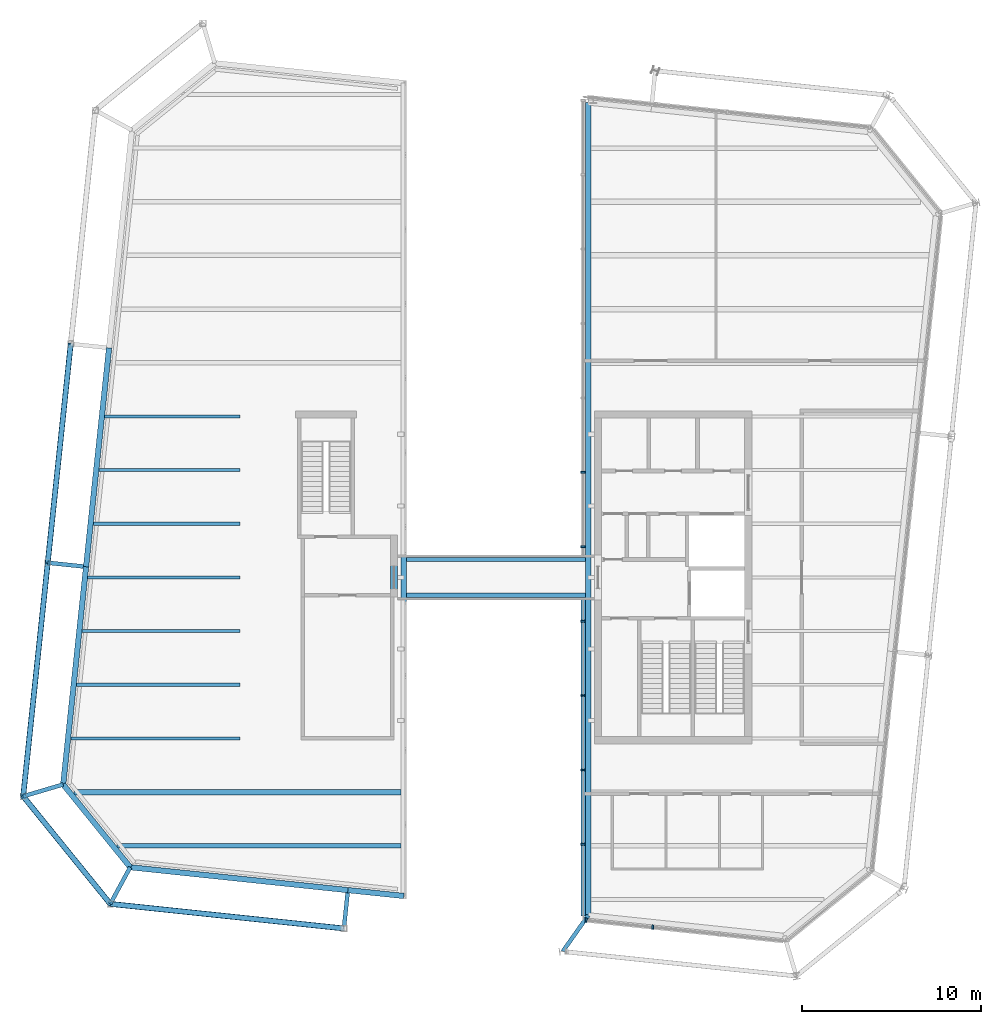
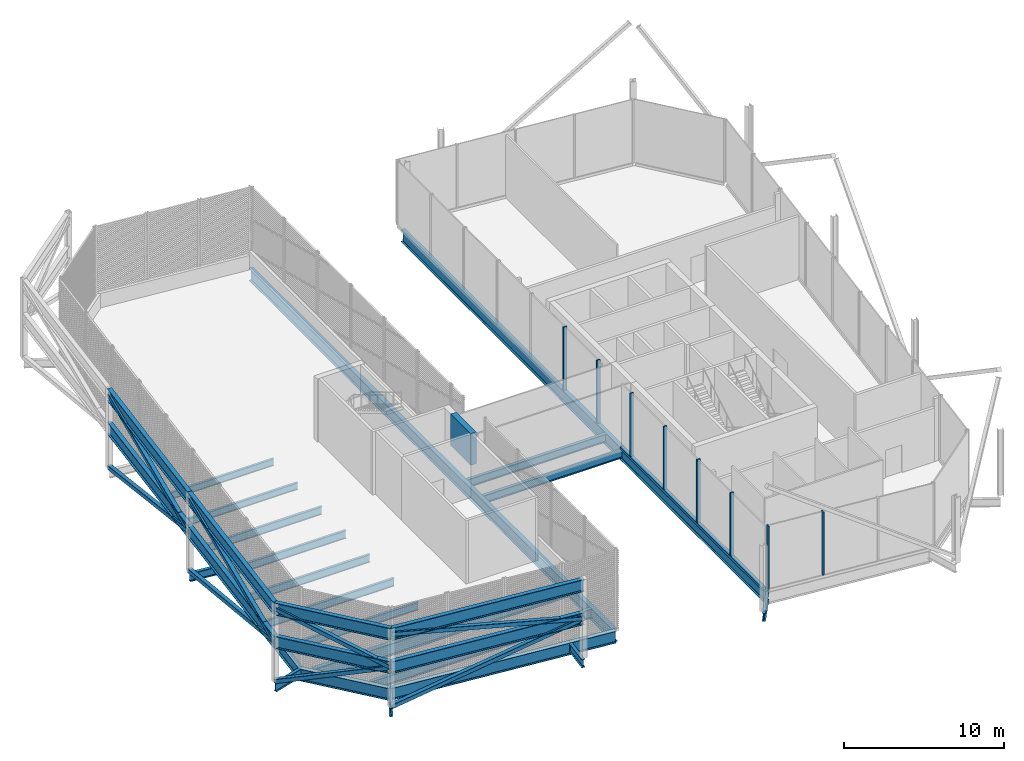
# One storey, part 5 of 15: 32 beams, 17 members, 2 elements without a shape of their own.
"""IFC4 building model written with IfcOpenShell, lengths in metres."""

from ifc_helpers import new_model, si_unit, direction, frame, origin, origin_2d, place, context, subcontext, project, spatial, rectangle, hollow_rectangle, i_section, extrude, material, layer, layer_set, material_profile, profile_set, type_object, element, aggregate, save


model = new_model("IFC4")

# Units and contexts
model_context = context("Model", 3, precision=1e-05, world=origin(), true_north=direction((0.0, 1.0)))
body_context = subcontext(model_context, "Body", "Model", "MODEL_VIEW")
ifc_project = project(units=[si_unit("LENGTHUNIT", "METRE"), si_unit("AREAUNIT", "SQUARE_METRE"), si_unit("VOLUMEUNIT", "CUBIC_METRE"), si_unit("PLANEANGLEUNIT", "RADIAN"), si_unit("MASSUNIT", "GRAM", prefix="KILO")], contexts=[model_context])

# Site, building, storey
site_placement = place(None, origin())
site = spatial("IfcSite", under=ifc_project, at=site_placement, CompositionType="ELEMENT")
building_placement = place(site_placement, origin())
building = spatial("IfcBuilding", under=site, at=building_placement, Name="Millrace Tower", CompositionType="ELEMENT")
storey_placement = place(building_placement, frame((0.0, 0.0, 352.10009765625)))
storey = spatial("IfcBuildingStorey", under=building, at=storey_placement, Name="L81", CompositionType="ELEMENT", Elevation=352.10009765625)

# Beams
ifc_material_1 = material(Name="Steel ASTM A992 Grade 50", Category="steel")
ifc_material_profile_1 = material_profile(ifc_material_1, i_section(OverallWidth=0.23046875, OverallDepth=0.6171875, WebThickness=0.01318359375, FlangeThickness=0.022216796875, FilletRadius=0.012939453125, at=origin_2d()))
ifc_profile_set_1 = profile_set([ifc_material_profile_1], Name="Steel ASTM A992 Grade 50")
beam_type_1 = type_object("IfcBeamType", Name="Bridge beam W24x94", PredefinedType="BEAM", material=ifc_profile_set_1)
for number, where, z_axis, x_axis, name in (
    (1, (-5.0, -1.0, -0.5087890625), (1.0, 0.0, 0.0), (0.0, 1.0, 0.0), "BR-LK-L81-S"),
    (2, (-5.0, 1.0, -0.5087890625), (1.0, 0.0, 0.0), (0.0, 1.0, 0.0), "BR-LK-L81-N"),
):
    element("IfcBeam", number, at=place(storey_placement, frame(where, z_axis=z_axis, x_axis=x_axis)), inside=storey, type_object=beam_type_1, Name=name, PredefinedType="BEAM", context=body_context, shape_type="SweptSolid", body=[
        extrude(i_section(OverallWidth=0.23046875, OverallDepth=0.6171875, WebThickness=0.01318359375, FlangeThickness=0.022216796875, FilletRadius=0.012939453125, at=origin_2d()), origin(), (0.0, 0.0, 1.0), 10.0),
    ])

# Members
ifc_material_2 = material(Name="Steel ASTM A500 Grade C", Category="steel")
ifc_material_profile_2 = material_profile(ifc_material_2, hollow_rectangle(XDim=0.3046875, YDim=0.3046875, WallThickness=0.0126953125, InnerFilletRadius=0.00634765625, OuterFilletRadius=0.01904296875, at=origin_2d()))
ifc_profile_set_2 = profile_set([ifc_material_profile_2], Name="Steel ASTM A500 Grade C")
member_type_1 = type_object("IfcMemberType", Name="CROWN FRAME brace HSS12x12x1/2", PredefinedType="BRACE", material=ifc_profile_set_2)
member_1_placement = place(storey_placement, frame((-25.057373046875, 0.82080078125, 0.0), z_axis=(-0.101884350274, -0.969532927516, 0.222767775118), x_axis=(0.994523779096, -0.104510539239, 0.0)))
element("IfcMember", 3, at=member_1_placement, inside=storey, type_object=member_type_1, Name="CROWN FRAME brace W.1 lo", PredefinedType="BRACE", context=body_context, shape_type="SweptSolid", body=[
    extrude(hollow_rectangle(XDim=0.3046875, YDim=0.3046875, WallThickness=0.0126953125, InnerFilletRadius=0.00634765625, OuterFilletRadius=0.01904296875, at=origin_2d()), origin(), (0.0, 0.0, 1.0), 13.467041015625),
])
member_2_placement = place(storey_placement, frame((-26.429443359375, -12.23583984375, 3.0), z_axis=(0.102613086785, 0.97646759453, 0.189688142101), x_axis=(-0.994523779096, 0.104510539239, 0.0)))
element("IfcMember", 4, at=member_2_placement, inside=storey, type_object=member_type_1, Name="CROWN FRAME brace W.1 up", PredefinedType="BRACE", context=body_context, shape_type="SweptSolid", body=[
    extrude(hollow_rectangle(XDim=0.3046875, YDim=0.3046875, WallThickness=0.0126953125, InnerFilletRadius=0.00634765625, OuterFilletRadius=0.01904296875, at=origin_2d()), origin(), (0.0, 0.0, 1.0), 13.371337890625),
])
member_3_placement = place(storey_placement, frame((-26.429443359375, -12.23583984375, 0.0), z_axis=(0.586767871081, -0.724590365617, 0.361486192713), x_axis=(0.777142728993, 0.62932438279, 0.0)))
element("IfcMember", 5, at=member_3_placement, inside=storey, type_object=member_type_1, Name="CROWN FRAME brace W.2 lo", PredefinedType="BRACE", context=body_context, shape_type="SweptSolid", body=[
    extrude(hollow_rectangle(XDim=0.3046875, YDim=0.3046875, WallThickness=0.0126953125, InnerFilletRadius=0.00634765625, OuterFilletRadius=0.01904296875, at=origin_2d()), origin(), (0.0, 0.0, 1.0), 8.299072265625),
])
member_4_placement = place(storey_placement, frame((-21.559814453125, -18.249267578125, 3.0), z_axis=(-0.59801700674, 0.738481745363, 0.311480932669), x_axis=(-0.777142728993, -0.62932438279, 0.0)))
element("IfcMember", 6, at=member_4_placement, inside=storey, type_object=member_type_1, Name="CROWN FRAME brace W.2 up", PredefinedType="BRACE", context=body_context, shape_type="SweptSolid", body=[
    extrude(hollow_rectangle(XDim=0.3046875, YDim=0.3046875, WallThickness=0.0126953125, InnerFilletRadius=0.00634765625, OuterFilletRadius=0.01904296875, at=origin_2d()), origin(), (0.0, 0.0, 1.0), 8.14306640625),
])
member_5_placement = place(storey_placement, frame((-21.559814453125, -18.249267578125, 0.0), z_axis=(0.969530048656, -0.101904082041, 0.222771279154), x_axis=(0.104530865473, 0.994521642883, 0.0)))
element("IfcMember", 7, at=member_5_placement, inside=storey, type_object=member_type_1, Name="CROWN FRAME brace W.3 lo", PredefinedType="BRACE", context=body_context, shape_type="SweptSolid", body=[
    extrude(hollow_rectangle(XDim=0.3046875, YDim=0.3046875, WallThickness=0.0126953125, InnerFilletRadius=0.00634765625, OuterFilletRadius=0.01904296875, at=origin_2d()), origin(), (0.0, 0.0, 1.0), 13.466796875),
])
member_6_placement = place(storey_placement, frame((-8.50341796875, -19.62158203125, 3.0), z_axis=(-0.976464915584, 0.102632982862, 0.189691168646), x_axis=(-0.104530865473, -0.994521642883, 0.0)))
element("IfcMember", 8, at=member_6_placement, inside=storey, type_object=member_type_1, Name="CROWN FRAME brace W.3 up", PredefinedType="BRACE", context=body_context, shape_type="SweptSolid", body=[
    extrude(hollow_rectangle(XDim=0.3046875, YDim=0.3046875, WallThickness=0.0126953125, InnerFilletRadius=0.00634765625, OuterFilletRadius=0.01904296875, at=origin_2d()), origin(), (0.0, 0.0, 1.0), 13.37109375),
])
member_7_placement = place(storey_placement, frame((-23.771484375, 13.053466796875, 0.0), z_axis=(-0.101565906982, -0.966197032344, 0.236954977217), x_axis=(0.994520342986, -0.104543232143, 0.0)))
element("IfcMember", 9, at=member_7_placement, inside=storey, type_object=member_type_1, Name="CROWN FRAME brace W.7 lo", PredefinedType="BRACE", context=body_context, shape_type="SweptSolid", body=[
    extrude(hollow_rectangle(XDim=0.3046875, YDim=0.3046875, WallThickness=0.0126953125, InnerFilletRadius=0.00634765625, OuterFilletRadius=0.01904296875, at=origin_2d()), origin(), (0.0, 0.0, 1.0), 12.66064453125),
])
member_8_placement = place(storey_placement, frame((-25.057373046875, 0.82080078125, 3.0), z_axis=(0.10238900644, 0.974027182017, 0.201959253447), x_axis=(-0.994520342986, 0.104543232143, 0.0)))
element("IfcMember", 10, at=member_8_placement, inside=storey, type_object=member_type_1, Name="CROWN FRAME brace W.7 up", PredefinedType="BRACE", context=body_context, shape_type="SweptSolid", body=[
    extrude(hollow_rectangle(XDim=0.3046875, YDim=0.3046875, WallThickness=0.0126953125, InnerFilletRadius=0.00634765625, OuterFilletRadius=0.01904296875, at=origin_2d()), origin(), (0.0, 0.0, 1.0), 12.558837890625),
])

# Beams
ifc_material_3 = material(Name="Steel ASTM A992 Grade 50", Category="steel")
ifc_material_profile_3 = material_profile(ifc_material_3, i_section(OverallWidth=0.307373046875, OverallDepth=0.927001953125, WebThickness=0.01953125, FlangeThickness=0.031982421875, FilletRadius=0.01904296875, at=origin_2d()))
ifc_profile_set_3 = profile_set([ifc_material_profile_3], Name="Steel ASTM A992 Grade 50")
beam_type_2 = type_object("IfcBeamType", Name="CROWN FRAME ring beam W36x194", PredefinedType="BEAM", material=ifc_profile_set_3)
for number, where, z_axis, x_axis, name in (
    (11, (-25.057373046875, 0.82080078125, 3.0), (-0.104510539239, -0.994523779096, 0.0), (0.994523779096, -0.104510539239, 0.0), "CROWN FRAME ring beam W.1 mid"),
    (12, (-25.057373046875, 0.82080078125, 5.536376953125), (-0.104510539239, -0.994523779096, 0.0), (0.994523779096, -0.104510539239, 0.0), "CROWN FRAME ring beam W.1 top"),
):
    element("IfcBeam", number, at=place(storey_placement, frame(where, z_axis=z_axis, x_axis=x_axis)), inside=storey, type_object=beam_type_2, Name=name, PredefinedType="BEAM", context=body_context, shape_type="SweptSolid", body=[
        extrude(i_section(OverallWidth=0.307373046875, OverallDepth=0.927001953125, WebThickness=0.01953125, FlangeThickness=0.031982421875, FilletRadius=0.01904296875, at=origin_2d()), origin(), (0.0, 0.0, 1.0), 13.12841796875),
    ])
for number, where, z_axis, x_axis, name in (
    (13, (-26.429443359375, -12.23583984375, 3.0), (0.62932438279, -0.777142728993, 0.0), (0.777142728993, 0.62932438279, 0.0), "CROWN FRAME ring beam W.2 mid"),
    (14, (-26.429443359375, -12.23583984375, 5.536376953125), (0.62932438279, -0.777142728993, 0.0), (0.777142728993, 0.62932438279, 0.0), "CROWN FRAME ring beam W.2 top"),
):
    element("IfcBeam", number, at=place(storey_placement, frame(where, z_axis=z_axis, x_axis=x_axis)), inside=storey, type_object=beam_type_2, Name=name, PredefinedType="BEAM", context=body_context, shape_type="SweptSolid", body=[
        extrude(i_section(OverallWidth=0.307373046875, OverallDepth=0.927001953125, WebThickness=0.01953125, FlangeThickness=0.031982421875, FilletRadius=0.01904296875, at=origin_2d()), origin(), (0.0, 0.0, 1.0), 7.73779296875),
    ])
for number, where, z_axis, x_axis, name in (
    (15, (-21.559814453125, -18.249267578125, 3.0), (0.994521642883, -0.104530865473, 0.0), (0.104530865473, 0.994521642883, 0.0), "CROWN FRAME ring beam W.3 mid"),
    (16, (-21.559814453125, -18.249267578125, 5.536376953125), (0.994521642883, -0.104530865473, 0.0), (0.104530865473, 0.994521642883, 0.0), "CROWN FRAME ring beam W.3 top"),
):
    element("IfcBeam", number, at=place(storey_placement, frame(where, z_axis=z_axis, x_axis=x_axis)), inside=storey, type_object=beam_type_2, Name=name, PredefinedType="BEAM", context=body_context, shape_type="SweptSolid", body=[
        extrude(i_section(OverallWidth=0.307373046875, OverallDepth=0.927001953125, WebThickness=0.01953125, FlangeThickness=0.031982421875, FilletRadius=0.01904296875, at=origin_2d()), origin(), (0.0, 0.0, 1.0), 13.12841796875),
    ])
for number, where, z_axis, x_axis, name in (
    (17, (-23.771484375, 13.053466796875, 3.0), (-0.104543232143, -0.994520342986, 0.0), (0.994520342986, -0.104543232143, 0.0), "CROWN FRAME ring beam W.7 mid"),
    (18, (-23.771484375, 13.053466796875, 5.536376953125), (-0.104543232143, -0.994520342986, 0.0), (0.994520342986, -0.104543232143, 0.0), "CROWN FRAME ring beam W.7 top"),
):
    element("IfcBeam", number, at=place(storey_placement, frame(where, z_axis=z_axis, x_axis=x_axis)), inside=storey, type_object=beam_type_2, Name=name, PredefinedType="BEAM", context=body_context, shape_type="SweptSolid", body=[
        extrude(i_section(OverallWidth=0.307373046875, OverallDepth=0.927001953125, WebThickness=0.01953125, FlangeThickness=0.031982421875, FilletRadius=0.01904296875, at=origin_2d()), origin(), (0.0, 0.0, 1.0), 12.300048828125),
    ])

# Curtain wall, members
ifc_material_4 = material(Name="Aluminium and glass", Category="aluminium")
ifc_layer = layer(ifc_material_4, 0.25)
ifc_layer_set = layer_set([ifc_layer], Name="Aluminium and glass")
curtain_wall_type = type_object("IfcCurtainWallType", Name="CW-7 crown louvred enclosure", PredefinedType="NOTDEFINED", material=ifc_layer_set)
placement = place(storey_placement, origin())
curtain_wall_1 = element("IfcCurtainWall", 19, at=placement, inside=storey, type_object=curtain_wall_type, Name="Curtain wall CE-F01 L81", PredefinedType="NOTDEFINED")
ifc_material_5 = material(Name="Aluminium", Category="aluminium")
ifc_material_profile_4 = material_profile(ifc_material_5, rectangle(XDim=0.10009765625, YDim=0.25, at=origin_2d()))
ifc_profile_set_4 = profile_set([ifc_material_profile_4], Name="Aluminium")
member_type_2 = type_object("IfcMemberType", Name="CW-7 crown louvred enclosure mullion", PredefinedType="MULLION", material=ifc_profile_set_4)
member_9_placement = place(storey_placement, frame((4.875, 5.875, 0.199951171875), z_axis=(0.0, 0.0, 1.0), x_axis=(0.0, -1.0, 0.0)))
member_9 = element("IfcMember", 20, at=member_9_placement, type_object=member_type_2, Name="CW7 mullion CE-F01.6", PredefinedType="MULLION", context=body_context, shape_type="SweptSolid", body=[
    extrude(rectangle(XDim=0.10009765625, YDim=0.25, at=origin_2d()), origin(), (0.0, 0.0, 1.0), 4.800048828125),
])
member_10_placement = place(storey_placement, frame((4.875, 1.7158203125, 0.199951171875), z_axis=(0.0, 0.0, 1.0), x_axis=(0.0, -1.0, 0.0)))
member_10 = element("IfcMember", 21, at=member_10_placement, type_object=member_type_2, Name="CW7 mullion CE-F01.7", PredefinedType="MULLION", context=body_context, shape_type="SweptSolid", body=[
    extrude(rectangle(XDim=0.10009765625, YDim=0.25, at=origin_2d()), origin(), (0.0, 0.0, 1.0), 4.800048828125),
])
member_11_placement = place(storey_placement, frame((4.875, -2.443115234375, 0.199951171875), z_axis=(0.0, 0.0, 1.0), x_axis=(0.0, -1.0, 0.0)))
member_11 = element("IfcMember", 22, at=member_11_placement, type_object=member_type_2, Name="CW7 mullion CE-F01.8", PredefinedType="MULLION", context=body_context, shape_type="SweptSolid", body=[
    extrude(rectangle(XDim=0.10009765625, YDim=0.25, at=origin_2d()), origin(), (0.0, 0.0, 1.0), 4.800048828125),
])
member_12_placement = place(storey_placement, frame((4.875, -6.602294921875, 0.199951171875), z_axis=(0.0, 0.0, 1.0), x_axis=(0.0, -1.0, 0.0)))
member_12 = element("IfcMember", 23, at=member_12_placement, type_object=member_type_2, Name="CW7 mullion CE-F01.9", PredefinedType="MULLION", context=body_context, shape_type="SweptSolid", body=[
    extrude(rectangle(XDim=0.10009765625, YDim=0.25, at=origin_2d()), origin(), (0.0, 0.0, 1.0), 4.800048828125),
])
member_13_placement = place(storey_placement, frame((4.875, -10.761474609375, 0.199951171875), z_axis=(0.0, 0.0, 1.0), x_axis=(0.0, -1.0, 0.0)))
member_13 = element("IfcMember", 24, at=member_13_placement, type_object=member_type_2, Name="CW7 mullion CE-F01.10", PredefinedType="MULLION", context=body_context, shape_type="SweptSolid", body=[
    extrude(rectangle(XDim=0.10009765625, YDim=0.25, at=origin_2d()), origin(), (0.0, 0.0, 1.0), 4.800048828125),
])
member_14_placement = place(storey_placement, frame((4.875, -14.920654296875, 0.199951171875), z_axis=(0.0, 0.0, 1.0), x_axis=(0.0, -1.0, 0.0)))
member_14 = element("IfcMember", 25, at=member_14_placement, type_object=member_type_2, Name="CW7 mullion CE-F01.11", PredefinedType="MULLION", context=body_context, shape_type="SweptSolid", body=[
    extrude(rectangle(XDim=0.10009765625, YDim=0.25, at=origin_2d()), origin(), (0.0, 0.0, 1.0), 4.800048828125),
])

curtain_wall_2 = element("IfcCurtainWall", 26, at=placement, inside=storey, type_object=curtain_wall_type, Name="Curtain wall CE-F02 L81", PredefinedType="NOTDEFINED")
member_15_placement = place(storey_placement, frame((5.03662109375, -19.159423828125, 0.199951171875), z_axis=(0.0, 0.0, 1.0), x_axis=(0.994521900296, -0.104528416385, 0.0)))
member_15 = element("IfcMember", 27, at=member_15_placement, type_object=member_type_2, Name="CW7 mullion CE-F02.1", PredefinedType="MULLION", context=body_context, shape_type="SweptSolid", body=[
    extrude(rectangle(XDim=0.10009765625, YDim=0.25, at=origin_2d()), origin(), (0.0, 0.0, 1.0), 4.800048828125),
])
member_16_placement = place(storey_placement, frame((8.76025390625, -19.55078125, 0.199951171875), z_axis=(0.0, 0.0, 1.0), x_axis=(0.994521900296, -0.104528416385, 0.0)))
member_16 = element("IfcMember", 28, at=member_16_placement, type_object=member_type_2, Name="CW7 mullion CE-F02.2", PredefinedType="MULLION", context=body_context, shape_type="SweptSolid", body=[
    extrude(rectangle(XDim=0.10009765625, YDim=0.25, at=origin_2d()), origin(), (0.0, 0.0, 1.0), 4.800048828125),
])
aggregate(curtain_wall_2, [member_15, member_16])

# Member
ifc_material_6 = material(Name="Aluminium", Category="aluminium")
ifc_material_profile_5 = material_profile(ifc_material_6, rectangle(XDim=0.25, YDim=0.199951171875, at=origin_2d()))
ifc_profile_set_5 = profile_set([ifc_material_profile_5], Name="Aluminium")
member_type_3 = type_object("IfcMemberType", Name="CW-7 crown louvred enclosure transom", PredefinedType="USERDEFINED", material=ifc_profile_set_5)
member_17_placement = place(storey_placement, frame((4.875, -18.929931640625, 0.099853515625), z_axis=(0.0, 1.0, 0.0), x_axis=(-1.0, 0.0, 0.0)))
member_17 = element("IfcMember", 29, at=member_17_placement, type_object=member_type_3, Name="CW7 transom CE-F01.1", ObjectType="TRANSOM", PredefinedType="USERDEFINED", context=body_context, shape_type="SweptSolid", body=[
    extrude(rectangle(XDim=0.25, YDim=0.199951171875, at=origin_2d()), origin(), (0.0, 0.0, 1.0), 17.68994140625),
])

aggregate(curtain_wall_1, [member_9, member_10, member_11, member_12, member_13, member_14, member_17])

# Beams
ifc_material_7 = material(Name="Concrete C40", Category="concrete")
ifc_material_profile_6 = material_profile(ifc_material_7, rectangle(XDim=0.39990234375, YDim=2.39990234375, at=origin_2d()))
ifc_profile_set_6 = profile_set([ifc_material_profile_6], Name="Concrete C40")
beam_type_3 = type_object("IfcBeamType", Name="Coupling beam 400 x 2400 Concrete C40, 1300 opening", PredefinedType="BEAM", material=ifc_profile_set_6)
beam_1_placement = place(storey_placement, frame((-5.699951171875, -1.050048828125, 3.599853515625), z_axis=(0.0, 1.0, 0.0), x_axis=(-1.0, 0.0, 0.0)))
element("IfcBeam", 30, at=beam_1_placement, inside=storey, type_object=beam_type_3, Name="Coupling beam W L81", PredefinedType="BEAM", context=body_context, shape_type="SweptSolid", body=[
    extrude(rectangle(XDim=0.39990234375, YDim=2.39990234375, at=origin_2d()), origin(), (0.0, 0.0, 1.0), 2.52001953125),
])
ifc_material_8 = material(Name="Steel ASTM A992 Grade 50", Category="steel")
ifc_material_profile_7 = material_profile(ifc_material_8, i_section(OverallWidth=0.1650390625, OverallDepth=0.52587890625, WebThickness=0.0087890625, FlangeThickness=0.011474609375, FilletRadius=0.0126953125, at=origin_2d()))
ifc_profile_set_7 = profile_set([ifc_material_profile_7], Name="Steel ASTM A992 Grade 50")
beam_type_4 = type_object("IfcBeamType", Name="Floor beam W21x44", PredefinedType="JOIST", material=ifc_profile_set_7)
beam_2_placement = place(storey_placement, frame((-22.19287109375, 6.0, -0.462890625), z_axis=(1.0, 0.0, 0.0), x_axis=(0.0, 1.0, 0.0)))
element("IfcBeam", 31, at=beam_2_placement, inside=storey, type_object=beam_type_4, Name="BM-CROWN-L81-SW-S008", PredefinedType="JOIST", context=body_context, shape_type="SweptSolid", body=[
    extrude(i_section(OverallWidth=0.1650390625, OverallDepth=0.52587890625, WebThickness=0.0087890625, FlangeThickness=0.011474609375, FilletRadius=0.0126953125, at=origin_2d()), origin(), (0.0, 0.0, 1.0), 7.892822265625),
])
beam_3_placement = place(storey_placement, frame((-21.87744140625, 9.0, -0.462890625), z_axis=(1.0, 0.0, 0.0), x_axis=(0.0, 1.0, 0.0)))
element("IfcBeam", 32, at=beam_3_placement, inside=storey, type_object=beam_type_4, Name="BM-CROWN-L81-SW-S009", PredefinedType="JOIST", context=body_context, shape_type="SweptSolid", body=[
    extrude(i_section(OverallWidth=0.1650390625, OverallDepth=0.52587890625, WebThickness=0.0087890625, FlangeThickness=0.011474609375, FilletRadius=0.0126953125, at=origin_2d()), origin(), (0.0, 0.0, 1.0), 7.577392578125),
])
ifc_material_9 = material(Name="Steel ASTM A992 Grade 50", Category="steel")
ifc_material_profile_8 = material_profile(ifc_material_9, i_section(OverallWidth=0.177978515625, OverallDepth=0.599365234375, WebThickness=0.010009765625, FlangeThickness=0.012939453125, FilletRadius=0.012939453125, at=origin_2d()))
ifc_profile_set_8 = profile_set([ifc_material_profile_8], Name="Steel ASTM A992 Grade 50")
beam_type_5 = type_object("IfcBeamType", Name="Floor beam W24x55", PredefinedType="JOIST", material=ifc_profile_set_8)
beam_4_placement = place(storey_placement, frame((-23.76953125, -9.0, -0.499755859375), z_axis=(1.0, 0.0, 0.0), x_axis=(0.0, 1.0, 0.0)))
element("IfcBeam", 33, at=beam_4_placement, inside=storey, type_object=beam_type_5, Name="BM-CROWN-L81-SW-S003", PredefinedType="JOIST", context=body_context, shape_type="SweptSolid", body=[
    extrude(i_section(OverallWidth=0.177978515625, OverallDepth=0.599365234375, WebThickness=0.010009765625, FlangeThickness=0.012939453125, FilletRadius=0.012939453125, at=origin_2d()), origin(), (0.0, 0.0, 1.0), 9.469482421875),
])
beam_5_placement = place(storey_placement, frame((-23.4541015625, -6.0, -0.499755859375), z_axis=(1.0, 0.0, 0.0), x_axis=(0.0, 1.0, 0.0)))
element("IfcBeam", 34, at=beam_5_placement, inside=storey, type_object=beam_type_5, Name="BM-CROWN-L81-SW-S004", PredefinedType="JOIST", context=body_context, shape_type="SweptSolid", body=[
    extrude(i_section(OverallWidth=0.177978515625, OverallDepth=0.599365234375, WebThickness=0.010009765625, FlangeThickness=0.012939453125, FilletRadius=0.012939453125, at=origin_2d()), origin(), (0.0, 0.0, 1.0), 9.154052734375),
])
beam_6_placement = place(storey_placement, frame((-23.138916015625, -3.0, -0.499755859375), z_axis=(1.0, 0.0, 0.0), x_axis=(0.0, 1.0, 0.0)))
element("IfcBeam", 35, at=beam_6_placement, inside=storey, type_object=beam_type_5, Name="BM-CROWN-L81-SW-S005", PredefinedType="JOIST", context=body_context, shape_type="SweptSolid", body=[
    extrude(i_section(OverallWidth=0.177978515625, OverallDepth=0.599365234375, WebThickness=0.010009765625, FlangeThickness=0.012939453125, FilletRadius=0.012939453125, at=origin_2d()), origin(), (0.0, 0.0, 1.0), 8.8388671875),
])
beam_7_placement = place(storey_placement, frame((-22.823486328125, 0.0, -0.499755859375), z_axis=(1.0, 0.0, 0.0), x_axis=(0.0, 1.0, 0.0)))
element("IfcBeam", 36, at=beam_7_placement, inside=storey, type_object=beam_type_5, Name="BM-CROWN-L81-SW-S006", PredefinedType="JOIST", context=body_context, shape_type="SweptSolid", body=[
    extrude(i_section(OverallWidth=0.177978515625, OverallDepth=0.599365234375, WebThickness=0.010009765625, FlangeThickness=0.012939453125, FilletRadius=0.012939453125, at=origin_2d()), origin(), (0.0, 0.0, 1.0), 8.5234375),
])
beam_8_placement = place(storey_placement, frame((-22.508056640625, 3.0, -0.499755859375), z_axis=(1.0, 0.0, 0.0), x_axis=(0.0, 1.0, 0.0)))
element("IfcBeam", 37, at=beam_8_placement, inside=storey, type_object=beam_type_5, Name="BM-CROWN-L81-SW-S007", PredefinedType="JOIST", context=body_context, shape_type="SweptSolid", body=[
    extrude(i_section(OverallWidth=0.177978515625, OverallDepth=0.599365234375, WebThickness=0.010009765625, FlangeThickness=0.012939453125, FilletRadius=0.012939453125, at=origin_2d()), origin(), (0.0, 0.0, 1.0), 8.2080078125),
])
ifc_material_10 = material(Name="Steel ASTM A992 Grade 50", Category="steel")
ifc_material_profile_9 = material_profile(ifc_material_10, i_section(OverallWidth=0.256591796875, OverallDepth=0.693359375, WebThickness=0.014404296875, FlangeThickness=0.023681640625, FilletRadius=0.01513671875, at=origin_2d()))
ifc_profile_set_9 = profile_set([ifc_material_profile_9], Name="Steel ASTM A992 Grade 50")
beam_type_6 = type_object("IfcBeamType", Name="Floor beam W27x114", PredefinedType="JOIST", material=ifc_profile_set_9)
beam_9_placement = place(storey_placement, frame((-21.174072265625, -15.0, -0.546875), z_axis=(1.0, 0.0, 0.0), x_axis=(0.0, 1.0, 0.0)))
element("IfcBeam", 38, at=beam_9_placement, inside=storey, type_object=beam_type_6, Name="BM-CROWN-L81-SW-S001", PredefinedType="JOIST", context=body_context, shape_type="SweptSolid", body=[
    extrude(i_section(OverallWidth=0.256591796875, OverallDepth=0.693359375, WebThickness=0.014404296875, FlangeThickness=0.023681640625, FilletRadius=0.01513671875, at=origin_2d()), origin(), (0.0, 0.0, 1.0), 15.86669921875),
])
ifc_material_11 = material(Name="Steel ASTM A992 Grade 50", Category="steel")
ifc_material_profile_10 = material_profile(ifc_material_11, i_section(OverallWidth=0.307373046875, OverallDepth=0.927001953125, WebThickness=0.01953125, FlangeThickness=0.031982421875, FilletRadius=0.01904296875, at=origin_2d()))
ifc_profile_set_10 = profile_set([ifc_material_profile_10], Name="Steel ASTM A992 Grade 50")
beam_type_7 = type_object("IfcBeamType", Name="Floor beam W36x194", PredefinedType="JOIST", material=ifc_profile_set_10)
beam_10_placement = place(storey_placement, frame((-23.58349609375, -12.0, -0.66357421875), z_axis=(1.0, 0.0, 0.0), x_axis=(0.0, 1.0, 0.0)))
element("IfcBeam", 39, at=beam_10_placement, inside=storey, type_object=beam_type_7, Name="BM-CROWN-L81-SW-S002", PredefinedType="JOIST", context=body_context, shape_type="SweptSolid", body=[
    extrude(i_section(OverallWidth=0.307373046875, OverallDepth=0.927001953125, WebThickness=0.01953125, FlangeThickness=0.031982421875, FilletRadius=0.01904296875, at=origin_2d()), origin(), (0.0, 0.0, 1.0), 18.276123046875),
])
ifc_material_12 = material(Name="Steel ASTM A992 Grade 50", Category="steel")
ifc_material_profile_11 = material_profile(ifc_material_12, i_section(OverallWidth=0.23046875, OverallDepth=0.6171875, WebThickness=0.01318359375, FlangeThickness=0.022216796875, FilletRadius=0.012939453125, at=origin_2d()))
ifc_profile_set_11 = profile_set([ifc_material_profile_11], Name="Steel ASTM A992 Grade 50")
beam_type_8 = type_object("IfcBeamType", Name="Link beam W24x94", PredefinedType="BEAM", material=ifc_profile_set_11)
beam_11_placement = place(storey_placement, frame((-8.29443359375, -17.632568359375, -0.5087890625), z_axis=(-0.104494148666, -0.99452550138, 0.0), x_axis=(0.99452550138, -0.104494148666, 0.0)))
element("IfcBeam", 40, at=beam_11_placement, inside=storey, type_object=beam_type_8, Name="LNK-CROWN-L81-SW-01", PredefinedType="BEAM", context=body_context, shape_type="SweptSolid", body=[
    extrude(i_section(OverallWidth=0.23046875, OverallDepth=0.6171875, WebThickness=0.01318359375, FlangeThickness=0.022216796875, FilletRadius=0.012939453125, at=origin_2d()), origin(), (0.0, 0.0, 1.0), 2.0),
])
for number, where, z_axis, x_axis, name in (
    (41, (-20.447509765625, -16.20068359375, -0.5087890625), (-0.477163510307, -0.87881453358, 0.0), (0.87881453358, -0.477163510307, 0.0), "LNK-CROWN-L81-SW-02"),
    (42, (-24.1943359375, -11.57373046875, -0.5087890625), (-0.958815015936, -0.284031275065, 0.0), (0.284031275065, -0.958815015936, 0.0), "LNK-CROWN-L81-SW-03"),
):
    element("IfcBeam", number, at=place(storey_placement, frame(where, z_axis=z_axis, x_axis=x_axis)), inside=storey, type_object=beam_type_8, Name=name, PredefinedType="BEAM", context=body_context, shape_type="SweptSolid", body=[
        extrude(i_section(OverallWidth=0.23046875, OverallDepth=0.6171875, WebThickness=0.01318359375, FlangeThickness=0.022216796875, FilletRadius=0.012939453125, at=origin_2d()), origin(), (0.0, 0.0, 1.0), 2.3310546875),
    ])
beam_12_placement = place(storey_placement, frame((-23.068115234375, 0.61181640625, -0.5087890625), z_axis=(-0.994526834051, 0.104481464157, 0.0), x_axis=(-0.104481464157, -0.994526834051, 0.0)))
element("IfcBeam", 43, at=beam_12_placement, inside=storey, type_object=beam_type_8, Name="LNK-CROWN-L81-SW-04", PredefinedType="BEAM", context=body_context, shape_type="SweptSolid", body=[
    extrude(i_section(OverallWidth=0.23046875, OverallDepth=0.6171875, WebThickness=0.01318359375, FlangeThickness=0.022216796875, FilletRadius=0.012939453125, at=origin_2d()), origin(), (0.0, 0.0, 1.0), 2.000244140625),
])
beam_13_placement = place(storey_placement, frame((5.153564453125, -18.891357421875, -0.5087890625), z_axis=(-0.577048175048, -0.816710109937, 0.0), x_axis=(0.816710109937, -0.577048175048, 0.0)))
element("IfcBeam", 44, at=beam_13_placement, inside=storey, type_object=beam_type_8, Name="LNK-CROWN-L81-SE-08", PredefinedType="BEAM", context=body_context, shape_type="SweptSolid", body=[
    extrude(i_section(OverallWidth=0.23046875, OverallDepth=0.6171875, WebThickness=0.01318359375, FlangeThickness=0.022216796875, FilletRadius=0.012939453125, at=origin_2d()), origin(), (0.0, 0.0, 1.0), 2.46826171875),
])
ifc_material_13 = material(Name="Steel ASTM A992 Grade 50", Category="steel")
ifc_material_profile_12 = material_profile(ifc_material_13, i_section(OverallWidth=0.307373046875, OverallDepth=0.927001953125, WebThickness=0.01953125, FlangeThickness=0.031982421875, FilletRadius=0.01904296875, at=origin_2d()))
ifc_profile_set_12 = profile_set([ifc_material_profile_12], Name="Steel ASTM A992 Grade 50")
beam_type_9 = type_object("IfcBeamType", Name="Ring beam long span W36x194", PredefinedType="SPANDREL", material=ifc_profile_set_12)
beam_14_placement = place(storey_placement, frame((-5.153564453125, 27.633544921875, -0.66357421875), z_axis=(0.0, -1.0, 0.0), x_axis=(1.0, 0.0, 0.0)))
element("IfcBeam", 45, at=beam_14_placement, inside=storey, type_object=beam_type_9, Name="RNG-CROWN-L81-SW-08", PredefinedType="SPANDREL", context=body_context, shape_type="SweptSolid", body=[
    extrude(i_section(OverallWidth=0.307373046875, OverallDepth=0.927001953125, WebThickness=0.01953125, FlangeThickness=0.031982421875, FilletRadius=0.01904296875, at=origin_2d()), origin(), (0.0, 0.0, 1.0), 45.441650390625),
])
beam_15_placement = place(storey_placement, frame((5.153564453125, -18.891357421875, -0.66357421875), z_axis=(0.0, 1.0, 0.0), x_axis=(-1.0, 0.0, 0.0)))
element("IfcBeam", 46, at=beam_15_placement, inside=storey, type_object=beam_type_9, Name="RNG-CROWN-L81-SE-08", PredefinedType="SPANDREL", context=body_context, shape_type="SweptSolid", body=[
    extrude(i_section(OverallWidth=0.307373046875, OverallDepth=0.927001953125, WebThickness=0.01953125, FlangeThickness=0.031982421875, FilletRadius=0.01904296875, at=origin_2d()), origin(), (0.0, 0.0, 1.0), 45.44140625),
])
ifc_material_14 = material(Name="Steel ASTM A992 Grade 50", Category="steel")
ifc_material_profile_13 = material_profile(ifc_material_14, i_section(OverallWidth=0.307373046875, OverallDepth=0.927001953125, WebThickness=0.01953125, FlangeThickness=0.031982421875, FilletRadius=0.01904296875, at=origin_2d()))
ifc_profile_set_13 = profile_set([ifc_material_profile_13], Name="Steel ASTM A992 Grade 50")
beam_type_10 = type_object("IfcBeamType", Name="Ring beam medium span W36x194", PredefinedType="SPANDREL", material=ifc_profile_set_13)
beam_16_placement = place(storey_placement, frame((-8.2783203125, -17.479736328125, -0.66357421875), z_axis=(-0.994521730693, 0.104530030035, 0.0), x_axis=(-0.104530030035, -0.994521730693, 0.0)))
element("IfcBeam", 47, at=beam_16_placement, inside=storey, type_object=beam_type_10, Name="RNG-CROWN-L81-SW-01", PredefinedType="SPANDREL", context=body_context, shape_type="SweptSolid", body=[
    extrude(i_section(OverallWidth=0.307373046875, OverallDepth=0.927001953125, WebThickness=0.01953125, FlangeThickness=0.031982421875, FilletRadius=0.01904296875, at=origin_2d()), origin(), (0.0, 0.0, 1.0), 12.236328125),
])
beam_17_placement = place(storey_placement, frame((-24.1943359375, -11.57373046875, -0.66357421875), z_axis=(0.104527955888, 0.994521948696, 0.0), x_axis=(-0.994521948696, 0.104527955888, 0.0)))
element("IfcBeam", 48, at=beam_17_placement, inside=storey, type_object=beam_type_10, Name="RNG-CROWN-L81-SW-03", PredefinedType="SPANDREL", context=body_context, shape_type="SweptSolid", body=[
    extrude(i_section(OverallWidth=0.307373046875, OverallDepth=0.927001953125, WebThickness=0.01953125, FlangeThickness=0.031982421875, FilletRadius=0.01904296875, at=origin_2d()), origin(), (0.0, 0.0, 1.0), 12.236572265625),
])
beam_18_placement = place(storey_placement, frame((-22.915283203125, 0.595703125, -0.66357421875), z_axis=(0.104523600289, 0.994522406476, 0.0), x_axis=(-0.994522406476, 0.104523600289, 0.0)))
element("IfcBeam", 49, at=beam_18_placement, inside=storey, type_object=beam_type_10, Name="RNG-CROWN-L81-SW-04", PredefinedType="SPANDREL", context=body_context, shape_type="SweptSolid", body=[
    extrude(i_section(OverallWidth=0.307373046875, OverallDepth=0.927001953125, WebThickness=0.01953125, FlangeThickness=0.031982421875, FilletRadius=0.01904296875, at=origin_2d()), origin(), (0.0, 0.0, 1.0), 12.300048828125),
])
ifc_material_15 = material(Name="Steel ASTM A992 Grade 50", Category="steel")
ifc_material_profile_14 = material_profile(ifc_material_15, i_section(OverallWidth=0.307373046875, OverallDepth=0.927001953125, WebThickness=0.01953125, FlangeThickness=0.031982421875, FilletRadius=0.01904296875, at=origin_2d()))
ifc_profile_set_14 = profile_set([ifc_material_profile_14], Name="Steel ASTM A992 Grade 50")
beam_type_11 = type_object("IfcBeamType", Name="Ring beam short span W36x194", PredefinedType="SPANDREL", material=ifc_profile_set_14)
beam_19_placement = place(storey_placement, frame((-20.447509765625, -16.20068359375, -0.66357421875), z_axis=(-0.629319722443, 0.777146502883, 0.0), x_axis=(-0.777146502883, -0.629319722443, 0.0)))
element("IfcBeam", 50, at=beam_19_placement, inside=storey, type_object=beam_type_11, Name="RNG-CROWN-L81-SW-02", PredefinedType="SPANDREL", context=body_context, shape_type="SweptSolid", body=[
    extrude(i_section(OverallWidth=0.307373046875, OverallDepth=0.927001953125, WebThickness=0.01953125, FlangeThickness=0.031982421875, FilletRadius=0.01904296875, at=origin_2d()), origin(), (0.0, 0.0, 1.0), 5.953857421875),
])
beam_20_placement = place(storey_placement, frame((-5.153564453125, -17.80810546875, -0.66357421875), z_axis=(-0.994523745873, 0.104510855395, 0.0), x_axis=(-0.104510855395, -0.994523745873, 0.0)))
element("IfcBeam", 51, at=beam_20_placement, inside=storey, type_object=beam_type_11, Name="RNG-CROWN-L81-SW-09", PredefinedType="SPANDREL", context=body_context, shape_type="SweptSolid", body=[
    extrude(i_section(OverallWidth=0.307373046875, OverallDepth=0.927001953125, WebThickness=0.01953125, FlangeThickness=0.031982421875, FilletRadius=0.01904296875, at=origin_2d()), origin(), (0.0, 0.0, 1.0), 3.141845703125),
])

save(model, "model.ifc")
